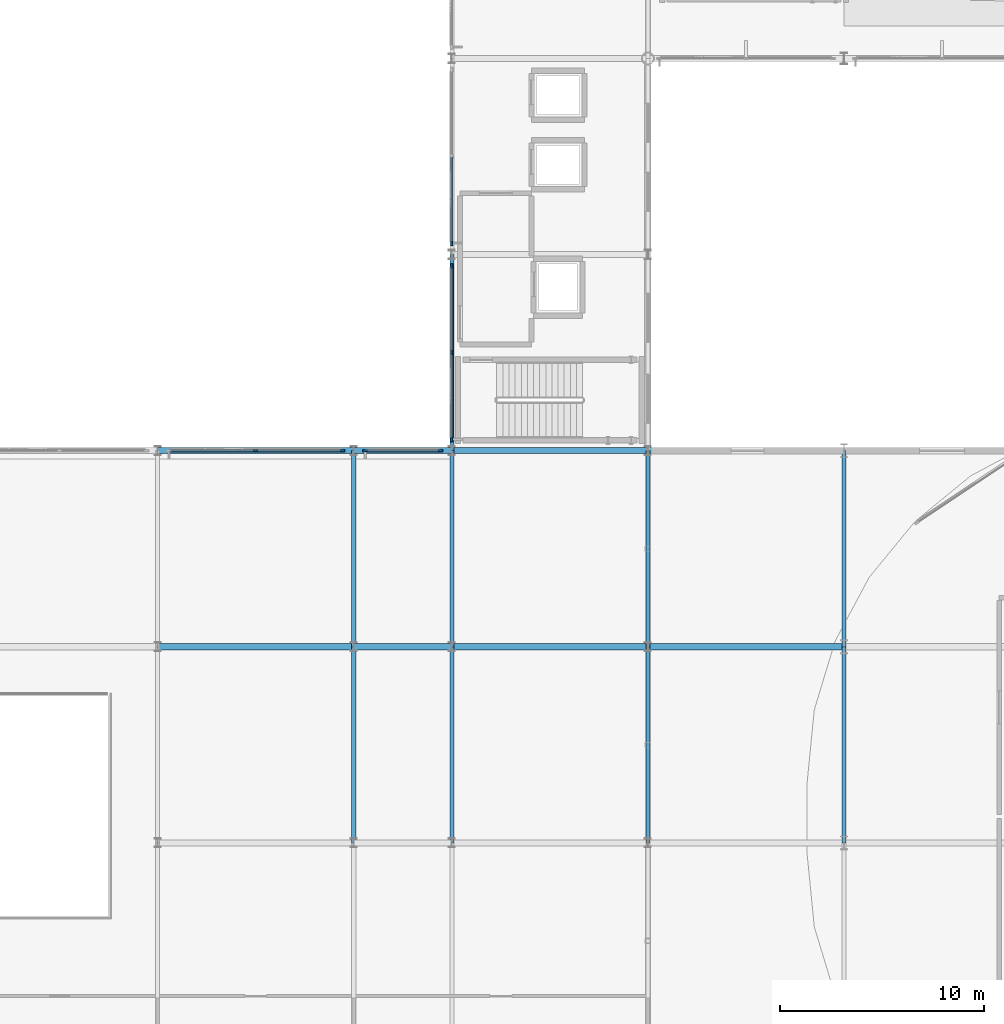
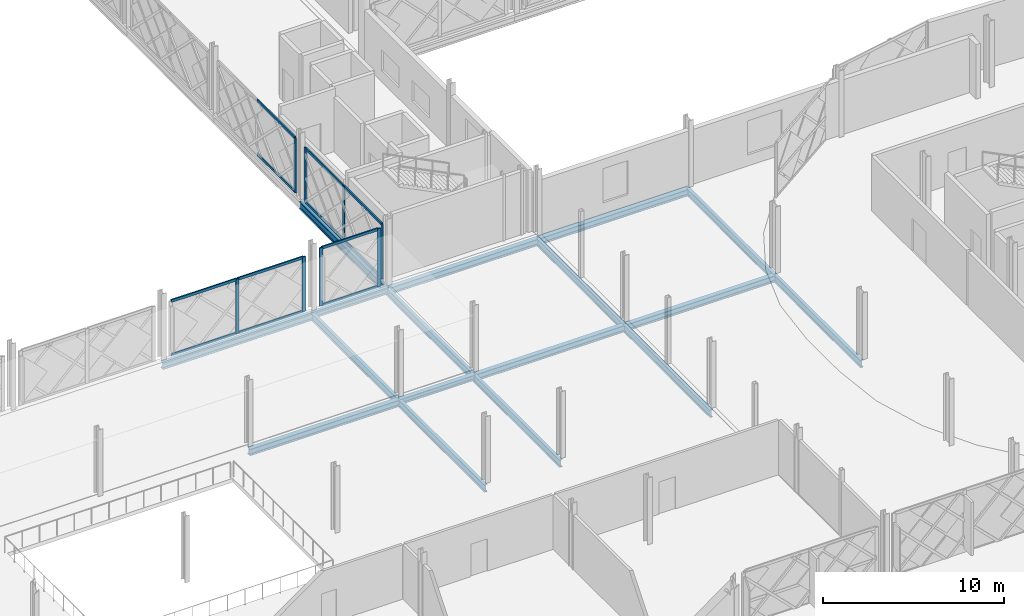
# One storey, part 41 of 101: 20 members, 17 beams, 4 elements without a shape of their own.
"""IFC4 building model written with IfcOpenShell, lengths in metres."""

from ifc_helpers import new_model, si_unit, direction, frame, origin, origin_2d, place, context, subcontext, project, spatial, rectangle, i_section, extrude, material, layer, layer_set, material_profile, profile_set, type_object, element, aggregate, save


model = new_model("IFC4")

# Units and contexts
model_context = context("Model", 3, precision=1e-05, world=origin(), true_north=direction((0.0, 1.0)))
body_context = subcontext(model_context, "Body", "Model", "MODEL_VIEW")
ifc_project = project(units=[si_unit("LENGTHUNIT", "METRE"), si_unit("AREAUNIT", "SQUARE_METRE"), si_unit("VOLUMEUNIT", "CUBIC_METRE"), si_unit("PLANEANGLEUNIT", "RADIAN"), si_unit("MASSUNIT", "GRAM", prefix="KILO")], contexts=[model_context])

# Site, building, storey
site_placement = place(None, origin())
site = spatial("IfcSite", under=ifc_project, at=site_placement, CompositionType="ELEMENT")
building_placement = place(site_placement, origin())
building = spatial("IfcBuilding", under=site, at=building_placement, Name="Zevrakil Square Congress Hotel", CompositionType="ELEMENT")
storey_placement = place(building_placement, frame((0.0, 0.0, 5.39990234375)))
storey = spatial("IfcBuildingStorey", under=building, at=storey_placement, Name="L02", CompositionType="ELEMENT", Elevation=5.39990234375)

# Beams
ifc_material_1 = material(Name="Steel S355", Category="steel")
ifc_material_profile_1 = material_profile(ifc_material_1, i_section(OverallWidth=0.300048828125, OverallDepth=0.35009765625, WebThickness=0.010009765625, FlangeThickness=0.017578125, FilletRadius=0.027099609375, at=origin_2d()), Name="HEA 360")
ifc_profile_set_1 = profile_set([ifc_material_profile_1], Name="Steel S355")
beam_type_1 = type_object("IfcBeamType", Name="BM-HEA360", PredefinedType="BEAM", material=ifc_profile_set_1)
for number, where, z_axis, x_axis, name in (
    (1, (103.199951171875, 36.0, -0.434814453125), (1.0, 0.0, 0.0), (0.0, 1.0, 0.0), "L02 primary girder BX-0725"),
    (2, (103.199951171875, 45.60009765625, -0.434814453125), (1.0, 0.0, 0.0), (0.0, 1.0, 0.0), "L02 primary girder BX-0742"),
):
    element("IfcBeam", number, at=place(storey_placement, frame(where, z_axis=z_axis, x_axis=x_axis)), inside=storey, type_object=beam_type_1, Name=name, PredefinedType="BEAM", context=body_context, shape_type="SweptSolid", body=[
        extrude(i_section(OverallWidth=0.300048828125, OverallDepth=0.35009765625, WebThickness=0.010009765625, FlangeThickness=0.017578125, FilletRadius=0.027099609375, at=origin_2d()), origin(), (0.0, 0.0, 1.0), 4.800048828125),
    ])
ifc_material_2 = material(Name="Steel S355", Category="steel")
ifc_material_profile_2 = material_profile(ifc_material_2, i_section(OverallWidth=0.300048828125, OverallDepth=0.43994140625, WebThickness=0.011474609375, FlangeThickness=0.02099609375, FilletRadius=0.027099609375, at=origin_2d()), Name="HEA 450")
ifc_profile_set_2 = profile_set([ifc_material_profile_2], Name="Steel S355")
beam_type_2 = type_object("IfcBeamType", Name="BM-HEA450", PredefinedType="BEAM", material=ifc_profile_set_2)
beam_1_placement = place(storey_placement, frame((93.60009765625, 36.0, -0.47998046875), z_axis=(1.0, 0.0, 0.0), x_axis=(0.0, 1.0, 0.0)))
element("IfcBeam", 3, at=beam_1_placement, inside=storey, type_object=beam_type_2, Name="L02 primary girder BX-0724", PredefinedType="BEAM", context=body_context, shape_type="SweptSolid", body=[
    extrude(i_section(OverallWidth=0.300048828125, OverallDepth=0.43994140625, WebThickness=0.011474609375, FlangeThickness=0.02099609375, FilletRadius=0.027099609375, at=origin_2d()), origin(), (0.0, 0.0, 1.0), 9.599853515625),
])
beam_2_placement = place(storey_placement, frame((108.0, 36.0, -0.47998046875), z_axis=(1.0, 0.0, 0.0), x_axis=(0.0, 1.0, 0.0)))
element("IfcBeam", 4, at=beam_2_placement, inside=storey, type_object=beam_type_2, Name="L02 primary girder BX-0726", PredefinedType="BEAM", context=body_context, shape_type="SweptSolid", body=[
    extrude(i_section(OverallWidth=0.300048828125, OverallDepth=0.43994140625, WebThickness=0.011474609375, FlangeThickness=0.02099609375, FilletRadius=0.027099609375, at=origin_2d()), origin(), (0.0, 0.0, 1.0), 9.60009765625),
])
for number, where, z_axis, x_axis, name in (
    (5, (117.60009765625, 36.0, -0.47998046875), (1.0, 0.0, 0.0), (0.0, 1.0, 0.0), "L02 primary girder BX-0727"),
    (6, (93.60009765625, 45.60009765625, -0.47998046875), (1.0, 0.0, 0.0), (0.0, 1.0, 0.0), "L02 primary girder BX-0741"),
):
    element("IfcBeam", number, at=place(storey_placement, frame(where, z_axis=z_axis, x_axis=x_axis)), inside=storey, type_object=beam_type_2, Name=name, PredefinedType="BEAM", context=body_context, shape_type="SweptSolid", body=[
        extrude(i_section(OverallWidth=0.300048828125, OverallDepth=0.43994140625, WebThickness=0.011474609375, FlangeThickness=0.02099609375, FilletRadius=0.027099609375, at=origin_2d()), origin(), (0.0, 0.0, 1.0), 9.599853515625),
    ])
beam_3_placement = place(storey_placement, frame((108.0, 45.60009765625, -0.47998046875), z_axis=(1.0, 0.0, 0.0), x_axis=(0.0, 1.0, 0.0)))
element("IfcBeam", 7, at=beam_3_placement, inside=storey, type_object=beam_type_2, Name="L02 primary girder BX-0743", PredefinedType="BEAM", context=body_context, shape_type="SweptSolid", body=[
    extrude(i_section(OverallWidth=0.300048828125, OverallDepth=0.43994140625, WebThickness=0.011474609375, FlangeThickness=0.02099609375, FilletRadius=0.027099609375, at=origin_2d()), origin(), (0.0, 0.0, 1.0), 9.60009765625),
])
beam_4_placement = place(storey_placement, frame((117.60009765625, 45.60009765625, -0.47998046875), z_axis=(1.0, 0.0, 0.0), x_axis=(0.0, 1.0, 0.0)))
element("IfcBeam", 8, at=beam_4_placement, inside=storey, type_object=beam_type_2, Name="L02 primary girder BX-0744", PredefinedType="BEAM", context=body_context, shape_type="SweptSolid", body=[
    extrude(i_section(OverallWidth=0.300048828125, OverallDepth=0.43994140625, WebThickness=0.011474609375, FlangeThickness=0.02099609375, FilletRadius=0.027099609375, at=origin_2d()), origin(), (0.0, 0.0, 1.0), 9.599853515625),
])
ifc_material_3 = material(Name="Steel S355", Category="steel")
ifc_material_profile_3 = material_profile(ifc_material_3, i_section(OverallWidth=0.199951171875, OverallDepth=0.5, WebThickness=0.01025390625, FlangeThickness=0.01611328125, FilletRadius=0.02099609375, at=origin_2d()), Name="IPE 500")
ifc_profile_set_3 = profile_set([ifc_material_profile_3], Name="Steel S355")
beam_type_3 = type_object("IfcBeamType", Name="BM-IPE500", PredefinedType="BEAM", material=ifc_profile_set_3)
for number, where, z_axis, x_axis, name in (
    (9, (103.199951171875, 26.39990234375, -0.510009765625), (0.0, 1.0, 0.0), (-1.0, 0.0, 0.0), "L02 primary girder BY-0903"),
    (10, (103.199951171875, 36.0, -0.510009765625), (0.0, 1.0, 0.0), (-1.0, 0.0, 0.0), "L02 primary girder BY-0904"),
    (11, (108.0, 26.39990234375, -0.510009765625), (0.0, 1.0, 0.0), (-1.0, 0.0, 0.0), "L02 primary girder BY-0911"),
    (12, (108.0, 36.0, -0.510009765625), (0.0, 1.0, 0.0), (-1.0, 0.0, 0.0), "L02 primary girder BY-0912"),
):
    element("IfcBeam", number, at=place(storey_placement, frame(where, z_axis=z_axis, x_axis=x_axis)), inside=storey, type_object=beam_type_3, Name=name, PredefinedType="BEAM", context=body_context, shape_type="SweptSolid", body=[
        extrude(i_section(OverallWidth=0.199951171875, OverallDepth=0.5, WebThickness=0.01025390625, FlangeThickness=0.01611328125, FilletRadius=0.02099609375, at=origin_2d()), origin(), (0.0, 0.0, 1.0), 9.60009765625),
    ])
beam_5_placement = place(storey_placement, frame((108.0, 45.60009765625, -0.510009765625), z_axis=(0.0, 1.0, 0.0), x_axis=(-1.0, 0.0, 0.0)))
element("IfcBeam", 13, at=beam_5_placement, inside=storey, type_object=beam_type_3, Name="L02 primary girder BY-0913", PredefinedType="BEAM", context=body_context, shape_type="SweptSolid", body=[
    extrude(i_section(OverallWidth=0.199951171875, OverallDepth=0.5, WebThickness=0.01025390625, FlangeThickness=0.01611328125, FilletRadius=0.02099609375, at=origin_2d()), origin(), (0.0, 0.0, 1.0), 9.599853515625),
])
for number, where, z_axis, x_axis, name in (
    (14, (117.60009765625, 26.39990234375, -0.510009765625), (0.0, 1.0, 0.0), (-1.0, 0.0, 0.0), "L02 primary girder BY-0923"),
    (15, (117.60009765625, 36.0, -0.510009765625), (0.0, 1.0, 0.0), (-1.0, 0.0, 0.0), "L02 primary girder BY-0924"),
    (16, (127.199951171875, 26.39990234375, -0.510009765625), (0.0, 1.0, 0.0), (-1.0, 0.0, 0.0), "L02 primary girder BY-0935"),
    (17, (127.199951171875, 36.0, -0.510009765625), (0.0, 1.0, 0.0), (-1.0, 0.0, 0.0), "L02 primary girder BY-0936"),
):
    element("IfcBeam", number, at=place(storey_placement, frame(where, z_axis=z_axis, x_axis=x_axis)), inside=storey, type_object=beam_type_3, Name=name, PredefinedType="BEAM", context=body_context, shape_type="SweptSolid", body=[
        extrude(i_section(OverallWidth=0.199951171875, OverallDepth=0.5, WebThickness=0.01025390625, FlangeThickness=0.01611328125, FilletRadius=0.02099609375, at=origin_2d()), origin(), (0.0, 0.0, 1.0), 9.60009765625),
    ])

# Curtain wall, members
ifc_material_4 = material(Name="Aluminium Anodised Bronze", Category="aluminium")
ifc_layer_1 = layer(ifc_material_4, 0.179931640625)
ifc_layer_set_1 = layer_set([ifc_layer_1], Name="Aluminium Anodised Bronze")
curtain_wall_type_1 = type_object("IfcCurtainWallType", Name="CW-L02-840", PredefinedType="USERDEFINED", material=ifc_layer_set_1)
curtain_wall_1_placement = place(storey_placement, origin())
curtain_wall_1 = element("IfcCurtainWall", 18, at=curtain_wall_1_placement, inside=storey, type_object=curtain_wall_type_1, Name="L02 diamond curtain wall CW-L02-0111", ObjectType="GLAZED CURTAIN WALL", PredefinedType="USERDEFINED")
ifc_material_5 = material(Name="Aluminium Anodised Bronze", Category="aluminium")
ifc_material_profile_4 = material_profile(ifc_material_5, rectangle(XDim=0.0849609375, YDim=0.179931640625, at=origin_2d()), Name="ALU 85x180")
ifc_profile_set_4 = profile_set([ifc_material_profile_4], Name="Aluminium Anodised Bronze")
member_type_1 = type_object("IfcMemberType", Name="CWM-ALU85x180", PredefinedType="USERDEFINED", material=ifc_profile_set_4)
member_1_placement = place(storey_placement, frame((94.179931640625, 45.60009765625, 0.030029296875), z_axis=(1.0, 0.0, 0.0), x_axis=(0.0, 1.0, 0.0)))
member_1 = element("IfcMember", 19, at=member_1_placement, type_object=member_type_1, Name="CW-23 transom 1.1", ObjectType="TRANSOM", PredefinedType="USERDEFINED", context=body_context, shape_type="SweptSolid", body=[
    extrude(rectangle(XDim=0.0849609375, YDim=0.179931640625, at=origin_2d()), origin(), (0.0, 0.0, 1.0), 4.190185546875),
])
member_2_placement = place(storey_placement, frame((94.179931640625, 45.60009765625, 3.655029296875), z_axis=(1.0, 0.0, 0.0), x_axis=(0.0, 1.0, 0.0)))
member_2 = element("IfcMember", 20, at=member_2_placement, type_object=member_type_1, Name="CW-23 transom 1.2", ObjectType="TRANSOM", PredefinedType="USERDEFINED", context=body_context, shape_type="SweptSolid", body=[
    extrude(rectangle(XDim=0.0849609375, YDim=0.179931640625, at=origin_2d()), origin(), (0.0, 0.0, 1.0), 4.190185546875),
])
member_3_placement = place(storey_placement, frame((98.429931640625, 45.60009765625, 0.030029296875), z_axis=(1.0, 0.0, 0.0), x_axis=(0.0, 1.0, 0.0)))
member_3 = element("IfcMember", 21, at=member_3_placement, type_object=member_type_1, Name="CW-23 transom 2.1", ObjectType="TRANSOM", PredefinedType="USERDEFINED", context=body_context, shape_type="SweptSolid", body=[
    extrude(rectangle(XDim=0.0849609375, YDim=0.179931640625, at=origin_2d()), origin(), (0.0, 0.0, 1.0), 4.190185546875),
])
member_4_placement = place(storey_placement, frame((98.429931640625, 45.60009765625, 3.655029296875), z_axis=(1.0, 0.0, 0.0), x_axis=(0.0, 1.0, 0.0)))
member_4 = element("IfcMember", 22, at=member_4_placement, type_object=member_type_1, Name="CW-23 transom 2.2", ObjectType="TRANSOM", PredefinedType="USERDEFINED", context=body_context, shape_type="SweptSolid", body=[
    extrude(rectangle(XDim=0.0849609375, YDim=0.179931640625, at=origin_2d()), origin(), (0.0, 0.0, 1.0), 4.190185546875),
])

ifc_material_6 = material(Name="Aluminium Anodised Bronze", Category="aluminium")
ifc_layer_2 = layer(ifc_material_6, 0.179931640625)
ifc_layer_set_2 = layer_set([ifc_layer_2], Name="Aluminium Anodised Bronze")
curtain_wall_type_2 = type_object("IfcCurtainWallType", Name="CW-L02-360", PredefinedType="USERDEFINED", material=ifc_layer_set_2)
curtain_wall_2_placement = place(storey_placement, origin())
curtain_wall_2 = element("IfcCurtainWall", 23, at=curtain_wall_2_placement, inside=storey, type_object=curtain_wall_type_2, Name="L02 diamond curtain wall CW-L02-0115", ObjectType="GLAZED CURTAIN WALL", PredefinedType="USERDEFINED")
member_5_placement = place(storey_placement, frame((103.780029296875, 45.60009765625, 0.030029296875), z_axis=(1.0, 0.0, 0.0), x_axis=(0.0, 1.0, 0.0)))
member_5 = element("IfcMember", 24, at=member_5_placement, type_object=member_type_1, Name="CW-16 transom 1.1", ObjectType="TRANSOM", PredefinedType="USERDEFINED", context=body_context, shape_type="SweptSolid", body=[
    extrude(rectangle(XDim=0.0849609375, YDim=0.179931640625, at=origin_2d()), origin(), (0.0, 0.0, 1.0), 3.639892578125),
])
member_6_placement = place(storey_placement, frame((103.780029296875, 45.60009765625, 3.885009765625), z_axis=(1.0, 0.0, 0.0), x_axis=(0.0, 1.0, 0.0)))
member_6 = element("IfcMember", 25, at=member_6_placement, type_object=member_type_1, Name="CW-16 transom 1.2", ObjectType="TRANSOM", PredefinedType="USERDEFINED", context=body_context, shape_type="SweptSolid", body=[
    extrude(rectangle(XDim=0.0849609375, YDim=0.179931640625, at=origin_2d()), origin(), (0.0, 0.0, 1.0), 3.639892578125),
])

curtain_wall_3_placement = place(storey_placement, origin())
curtain_wall_3 = element("IfcCurtainWall", 26, at=curtain_wall_3_placement, inside=storey, type_object=curtain_wall_type_1, Name="L02 diamond curtain wall CW-L02-0123", ObjectType="GLAZED CURTAIN WALL", PredefinedType="USERDEFINED")
member_7_placement = place(storey_placement, frame((108.0, 46.179931640625, 0.030029296875), z_axis=(0.0, 1.0, 0.0), x_axis=(-1.0, 0.0, 0.0)))
member_7 = element("IfcMember", 27, at=member_7_placement, type_object=member_type_1, Name="CW-23 transom 1.1", ObjectType="TRANSOM", PredefinedType="USERDEFINED", context=body_context, shape_type="SweptSolid", body=[
    extrude(rectangle(XDim=0.0849609375, YDim=0.179931640625, at=origin_2d()), origin(), (0.0, 0.0, 1.0), 4.190185546875),
])
member_8_placement = place(storey_placement, frame((108.0, 46.179931640625, 3.64501953125), z_axis=(0.0, 1.0, 0.0), x_axis=(-1.0, 0.0, 0.0)))
member_8 = element("IfcMember", 28, at=member_8_placement, type_object=member_type_1, Name="CW-23 transom 1.2", ObjectType="TRANSOM", PredefinedType="USERDEFINED", context=body_context, shape_type="SweptSolid", body=[
    extrude(rectangle(XDim=0.0849609375, YDim=0.179931640625, at=origin_2d()), origin(), (0.0, 0.0, 1.0), 4.190185546875),
])
member_9_placement = place(storey_placement, frame((108.0, 50.429931640625, 0.030029296875), z_axis=(0.0, 1.0, 0.0), x_axis=(-1.0, 0.0, 0.0)))
member_9 = element("IfcMember", 29, at=member_9_placement, type_object=member_type_1, Name="CW-23 transom 2.1", ObjectType="TRANSOM", PredefinedType="USERDEFINED", context=body_context, shape_type="SweptSolid", body=[
    extrude(rectangle(XDim=0.0849609375, YDim=0.179931640625, at=origin_2d()), origin(), (0.0, 0.0, 1.0), 4.190185546875),
])
member_10_placement = place(storey_placement, frame((108.0, 50.429931640625, 3.64501953125), z_axis=(0.0, 1.0, 0.0), x_axis=(-1.0, 0.0, 0.0)))
member_10 = element("IfcMember", 30, at=member_10_placement, type_object=member_type_1, Name="CW-23 transom 2.2", ObjectType="TRANSOM", PredefinedType="USERDEFINED", context=body_context, shape_type="SweptSolid", body=[
    extrude(rectangle(XDim=0.0849609375, YDim=0.179931640625, at=origin_2d()), origin(), (0.0, 0.0, 1.0), 4.190185546875),
])

curtain_wall_4_placement = place(storey_placement, origin())
curtain_wall_4 = element("IfcCurtainWall", 31, at=curtain_wall_4_placement, inside=storey, type_object=curtain_wall_type_1, Name="L02 diamond curtain wall CW-L02-0129", ObjectType="GLAZED CURTAIN WALL", PredefinedType="USERDEFINED")
member_11_placement = place(storey_placement, frame((108.0, 55.780029296875, 0.030029296875), z_axis=(0.0, 1.0, 0.0), x_axis=(-1.0, 0.0, 0.0)))
member_11 = element("IfcMember", 32, at=member_11_placement, type_object=member_type_1, Name="CW-23 transom 1.1", ObjectType="TRANSOM", PredefinedType="USERDEFINED", context=body_context, shape_type="SweptSolid", body=[
    extrude(rectangle(XDim=0.0849609375, YDim=0.179931640625, at=origin_2d()), origin(), (0.0, 0.0, 1.0), 4.18994140625),
])
member_12_placement = place(storey_placement, frame((108.0, 55.780029296875, 3.64501953125), z_axis=(0.0, 1.0, 0.0), x_axis=(-1.0, 0.0, 0.0)))
member_12 = element("IfcMember", 33, at=member_12_placement, type_object=member_type_1, Name="CW-23 transom 1.2", ObjectType="TRANSOM", PredefinedType="USERDEFINED", context=body_context, shape_type="SweptSolid", body=[
    extrude(rectangle(XDim=0.0849609375, YDim=0.179931640625, at=origin_2d()), origin(), (0.0, 0.0, 1.0), 4.18994140625),
])

# Member
ifc_material_7 = material(Name="Aluminium Anodised Bronze", Category="aluminium")
ifc_material_profile_5 = material_profile(ifc_material_7, rectangle(XDim=0.0849609375, YDim=0.219970703125, at=origin_2d()), Name="ALU 85x220")
ifc_profile_set_5 = profile_set([ifc_material_profile_5], Name="Aluminium Anodised Bronze")
member_type_2 = type_object("IfcMemberType", Name="CWM-ALU85x220", PredefinedType="MULLION", material=ifc_profile_set_5)
member_13_placement = place(storey_placement, frame((98.39990234375, 45.60009765625, 0.0), z_axis=(0.0, 0.0, 1.0), x_axis=(0.0, 1.0, 0.0)))
member_13 = element("IfcMember", 34, at=member_13_placement, type_object=member_type_2, Name="CW-23 mullion 2", PredefinedType="MULLION", context=body_context, shape_type="SweptSolid", body=[
    extrude(rectangle(XDim=0.0849609375, YDim=0.219970703125, at=origin_2d()), origin(), (0.0, 0.0, 1.0), 3.68505859375),
])

member_14_placement = place(storey_placement, frame((102.64990234375, 45.60009765625, 0.0), z_axis=(0.0, 0.0, 1.0), x_axis=(0.0, 1.0, 0.0)))
member_14 = element("IfcMember", 35, at=member_14_placement, type_object=member_type_2, Name="CW-23 mullion 3", PredefinedType="MULLION", context=body_context, shape_type="SweptSolid", body=[
    extrude(rectangle(XDim=0.0849609375, YDim=0.219970703125, at=origin_2d()), origin(), (0.0, 0.0, 1.0), 3.68505859375),
])

aggregate(curtain_wall_1, [member_13, member_14, member_1, member_2, member_3, member_4])

member_15_placement = place(storey_placement, frame((103.75, 45.60009765625, 0.0), z_axis=(0.0, 0.0, 1.0), x_axis=(0.0, 1.0, 0.0)))
member_15 = element("IfcMember", 36, at=member_15_placement, type_object=member_type_2, Name="CW-16 mullion 1", PredefinedType="MULLION", context=body_context, shape_type="SweptSolid", body=[
    extrude(rectangle(XDim=0.0849609375, YDim=0.219970703125, at=origin_2d()), origin(), (0.0, 0.0, 1.0), 3.9150390625),
])

member_16_placement = place(storey_placement, frame((107.449951171875, 45.60009765625, 0.0), z_axis=(0.0, 0.0, 1.0), x_axis=(0.0, 1.0, 0.0)))
member_16 = element("IfcMember", 37, at=member_16_placement, type_object=member_type_2, Name="CW-16 mullion 2", PredefinedType="MULLION", context=body_context, shape_type="SweptSolid", body=[
    extrude(rectangle(XDim=0.0849609375, YDim=0.219970703125, at=origin_2d()), origin(), (0.0, 0.0, 1.0), 3.9150390625),
])

aggregate(curtain_wall_2, [member_15, member_16, member_5, member_6])

member_17_placement = place(storey_placement, frame((108.0, 46.14990234375, 0.0), z_axis=(0.0, 0.0, 1.0), x_axis=(-1.0, 0.0, 0.0)))
member_17 = element("IfcMember", 38, at=member_17_placement, type_object=member_type_2, Name="CW-23 mullion 1", PredefinedType="MULLION", context=body_context, shape_type="SweptSolid", body=[
    extrude(rectangle(XDim=0.0849609375, YDim=0.219970703125, at=origin_2d()), origin(), (0.0, 0.0, 1.0), 3.675048828125),
])

member_18_placement = place(storey_placement, frame((108.0, 50.39990234375, 0.0), z_axis=(0.0, 0.0, 1.0), x_axis=(-1.0, 0.0, 0.0)))
member_18 = element("IfcMember", 39, at=member_18_placement, type_object=member_type_2, Name="CW-23 mullion 2", PredefinedType="MULLION", context=body_context, shape_type="SweptSolid", body=[
    extrude(rectangle(XDim=0.0849609375, YDim=0.219970703125, at=origin_2d()), origin(), (0.0, 0.0, 1.0), 3.675048828125),
])

member_19_placement = place(storey_placement, frame((108.0, 54.64990234375, 0.0), z_axis=(0.0, 0.0, 1.0), x_axis=(-1.0, 0.0, 0.0)))
member_19 = element("IfcMember", 40, at=member_19_placement, type_object=member_type_2, Name="CW-23 mullion 3", PredefinedType="MULLION", context=body_context, shape_type="SweptSolid", body=[
    extrude(rectangle(XDim=0.0849609375, YDim=0.219970703125, at=origin_2d()), origin(), (0.0, 0.0, 1.0), 3.675048828125),
])

aggregate(curtain_wall_3, [member_17, member_18, member_19, member_7, member_8, member_9, member_10])

member_20_placement = place(storey_placement, frame((108.0, 55.75, 0.0), z_axis=(0.0, 0.0, 1.0), x_axis=(-1.0, 0.0, 0.0)))
member_20 = element("IfcMember", 41, at=member_20_placement, type_object=member_type_2, Name="CW-23 mullion 1", PredefinedType="MULLION", context=body_context, shape_type="SweptSolid", body=[
    extrude(rectangle(XDim=0.0849609375, YDim=0.219970703125, at=origin_2d()), origin(), (0.0, 0.0, 1.0), 3.675048828125),
])

aggregate(curtain_wall_4, [member_20, member_11, member_12])

save(model, "model.ifc")
